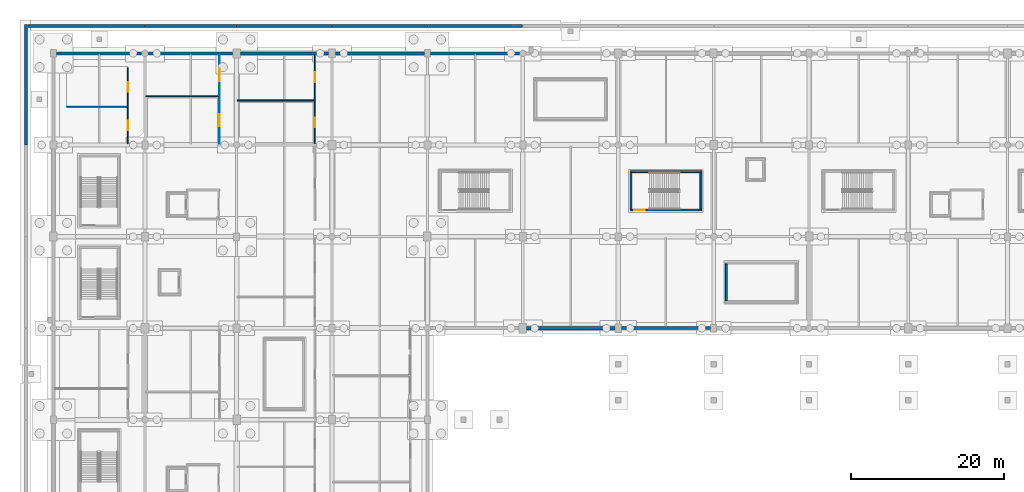
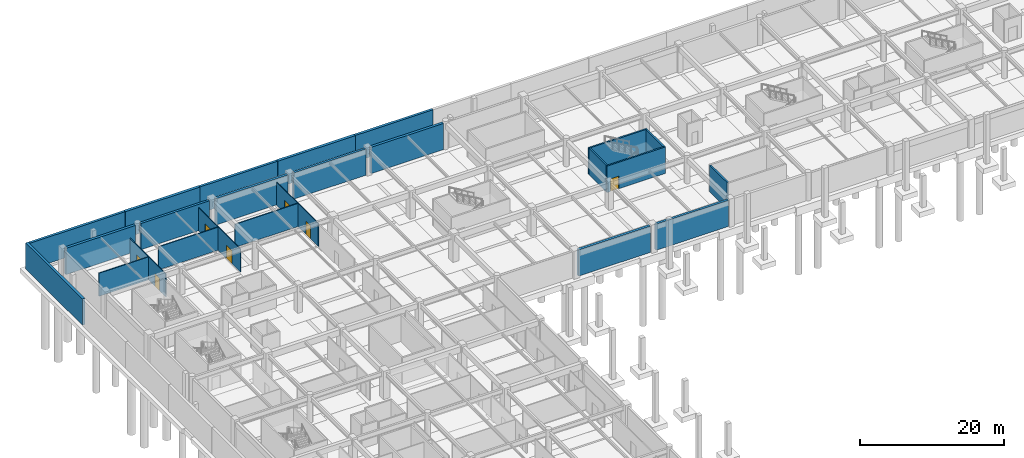
# One storey, part 36 of 56: 24 walls, 7 doors, 7 openings.
"""IFC4 building model written with IfcOpenShell, lengths in metres."""

from ifc_helpers import new_model, si_unit, direction, frame, frame_2d, origin, place, context, subcontext, project, spatial, rectangle, extrude, material, layer, layer_set, type_object, element, fill, save


model = new_model("IFC4")

# Units and contexts
model_context = context("Model", 3, precision=1e-05, world=origin(), true_north=direction((0.0, 1.0)))
body_context = subcontext(model_context, "Body", "Model", "MODEL_VIEW")
ifc_project = project(units=[si_unit("LENGTHUNIT", "METRE"), si_unit("AREAUNIT", "SQUARE_METRE"), si_unit("VOLUMEUNIT", "CUBIC_METRE"), si_unit("PLANEANGLEUNIT", "RADIAN"), si_unit("MASSUNIT", "GRAM", prefix="KILO")], contexts=[model_context])

# Site, building, storey
site_placement = place(None, origin())
site = spatial("IfcSite", under=ifc_project, at=site_placement, CompositionType="ELEMENT")
building_placement = place(site_placement, origin())
building = spatial("IfcBuilding", under=site, at=building_placement, Name="Kazenohara Klinker Stadium", CompositionType="ELEMENT")
storey_placement = place(building_placement, frame((0.0, 0.0, -4.800048828125)))
storey = spatial("IfcBuildingStorey", under=building, at=storey_placement, Name="B01", CompositionType="ELEMENT", Elevation=-4.800048828125)

# Walls
ifc_material_1 = material(Name="Concrete C40/50", Category="concrete")
ifc_layer_1 = layer(ifc_material_1, 0.39990234375)
ifc_layer_set_1 = layer_set([ifc_layer_1], Name="Concrete C40/50")
wall_type_1 = type_object("IfcWallType", Name="WAL-B01-PLINTH400", PredefinedType="USERDEFINED", material=ifc_layer_set_1)
wall_1_placement = place(storey_placement, frame((-3.580078125, 156.02001953125, 0.0), z_axis=(0.0, 0.0, 1.0), x_axis=(0.0, 1.0, 0.0)))
element("IfcWall", 1, at=wall_1_placement, inside=storey, type_object=wall_type_1, Name="Street plinth retaining wall RW04 West-14", ObjectType="RETAINING WALL", PredefinedType="USERDEFINED", context=body_context, shape_type="SweptSolid", body=[
    extrude(rectangle(XDim=15.760009765625, YDim=0.39990234375, at=frame_2d((7.8798828125, 0.0))), origin(), (0.0, 0.0, 1.0), 4.4599609375),
])
wall_2_placement = place(storey_placement, frame((-3.320068359375, 171.580078125, 0.0), z_axis=(0.0, 0.0, 1.0), x_axis=(1.0, 0.0, 0.0)))
element("IfcWall", 2, at=wall_2_placement, inside=storey, type_object=wall_type_1, Name="Street plinth retaining wall RW04 North-01", ObjectType="RETAINING WALL", PredefinedType="USERDEFINED", context=body_context, shape_type="SweptSolid", body=[
    extrude(rectangle(XDim=15.300048828125, YDim=0.39990234375, at=frame_2d((7.64990234375, 0.0))), origin(), (0.0, 0.0, 1.0), 4.4599609375),
])
for number, where, z_axis, x_axis, name in (
    (3, (24.02001953125, 171.580078125, 0.0), (0.0, 0.0, 1.0), (1.0, 0.0, 0.0), "Street plinth retaining wall RW04 North-03"),
    (4, (49.02001953125, 171.580078125, 0.0), (0.0, 0.0, 1.0), (1.0, 0.0, 0.0), "Street plinth retaining wall RW04 North-05"),
):
    element("IfcWall", number, at=place(storey_placement, frame(where, z_axis=z_axis, x_axis=x_axis)), inside=storey, type_object=wall_type_1, Name=name, ObjectType="RETAINING WALL", PredefinedType="USERDEFINED", context=body_context, shape_type="SweptSolid", body=[
        extrude(rectangle(XDim=12.4599609375, YDim=0.39990234375, at=frame_2d((6.22998046875, 0.0))), origin(), (0.0, 0.0, 1.0), 4.4599609375),
    ])
ifc_layer_2 = layer(ifc_material_1, 0.43994140625)
ifc_layer_set_2 = layer_set([ifc_layer_2], Name="Concrete C40/50")
wall_type_2 = type_object("IfcWallType", Name="WAL-B01-PLINTH440", PredefinedType="USERDEFINED", material=ifc_layer_set_2)
wall_3_placement = place(storey_placement, frame((12.02001953125, 171.580078125, 0.0), z_axis=(0.0, 0.0, 1.0), x_axis=(1.0, 0.0, 0.0)))
element("IfcWall", 5, at=wall_3_placement, inside=storey, type_object=wall_type_2, Name="Street plinth retaining wall RW03 North-02", ObjectType="RETAINING WALL", PredefinedType="USERDEFINED", context=body_context, shape_type="SweptSolid", body=[
    extrude(rectangle(XDim=11.9599609375, YDim=0.43994140625, at=frame_2d((5.97998046875, 0.0))), origin(), (0.0, 0.0, 1.0), 4.4599609375),
])
wall_4_placement = place(storey_placement, frame((36.52001953125, 171.580078125, 0.0), z_axis=(0.0, 0.0, 1.0), x_axis=(1.0, 0.0, 0.0)))
element("IfcWall", 6, at=wall_4_placement, inside=storey, type_object=wall_type_2, Name="Street plinth retaining wall RW03 North-04", ObjectType="RETAINING WALL", PredefinedType="USERDEFINED", context=body_context, shape_type="SweptSolid", body=[
    extrude(rectangle(XDim=12.4599609375, YDim=0.43994140625, at=frame_2d((6.22998046875, 0.0))), origin(), (0.0, 0.0, 1.0), 4.4599609375),
])
ifc_layer_3 = layer(ifc_material_1, 0.3798828125)
ifc_layer_set_3 = layer_set([ifc_layer_3], Name="Concrete C40/50")
wall_type_3 = type_object("IfcWallType", Name="WAL-B01-RET380", PredefinedType="STANDARD", material=ifc_layer_set_3)
wall_5_placement = place(storey_placement, frame((12.428955078125, 168.0, 0.0), z_axis=(0.0, 0.0, 1.0), x_axis=(1.0, 0.0, 0.0)))
element("IfcWall", 7, at=wall_5_placement, inside=storey, type_object=wall_type_3, Name="Basement perimeter retaining wall RW02 X-01-14", PredefinedType="STANDARD", context=body_context, shape_type="SweptSolid", body=[
    extrude(rectangle(XDim=11.067138671875, YDim=0.3798828125, at=frame_2d((5.53369140625, 0.0))), origin(), (0.0, 0.0, 1.0), 4.4599609375),
])
for number, where, z_axis, x_axis, name in (
    (8, (36.9541015625, 168.0, 0.0), (0.0, 0.0, 1.0), (1.0, 0.0, 0.0), "Basement perimeter retaining wall RW02 X-03-14"),
    (9, (74.4541015625, 132.0, 0.0), (0.0, 0.0, 1.0), (1.0, 0.0, 0.0), "Basement perimeter retaining wall RW02 X-06-11"),
):
    element("IfcWall", number, at=place(storey_placement, frame(where, z_axis=z_axis, x_axis=x_axis)), inside=storey, type_object=wall_type_3, Name=name, PredefinedType="STANDARD", context=body_context, shape_type="SweptSolid", body=[
        extrude(rectangle(XDim=11.641845703125, YDim=0.3798828125, at=frame_2d((5.82080078125, 0.0))), origin(), (0.0, 0.0, 1.0), 4.4599609375),
    ])
ifc_layer_4 = layer(ifc_material_1, 0.419921875)
ifc_layer_set_4 = layer_set([ifc_layer_4], Name="Concrete C40/50")
wall_type_4 = type_object("IfcWallType", Name="WAL-B01-RET420", PredefinedType="STANDARD", material=ifc_layer_set_4)
wall_6_placement = place(storey_placement, frame((0.404052734375, 168.0, 0.0), z_axis=(0.0, 0.0, 1.0), x_axis=(1.0, 0.0, 0.0)))
element("IfcWall", 10, at=wall_6_placement, inside=storey, type_object=wall_type_4, Name="Basement perimeter retaining wall RW01 X-00-14", PredefinedType="STANDARD", context=body_context, shape_type="SweptSolid", body=[
    extrude(rectangle(XDim=11.1669921875, YDim=0.419921875, at=frame_2d((5.58349609375, 0.0))), origin(), (0.0, 0.0, 1.0), 4.4599609375),
])
wall_7_placement = place(storey_placement, frame((24.50390625, 168.0, 0.0), z_axis=(0.0, 0.0, 1.0), x_axis=(1.0, 0.0, 0.0)))
element("IfcWall", 11, at=wall_7_placement, inside=storey, type_object=wall_type_4, Name="Basement perimeter retaining wall RW01 X-02-14", PredefinedType="STANDARD", context=body_context, shape_type="SweptSolid", body=[
    extrude(rectangle(XDim=11.5419921875, YDim=0.419921875, at=frame_2d((5.77099609375, 0.0))), origin(), (0.0, 0.0, 1.0), 4.4599609375),
])
wall_8_placement = place(storey_placement, frame((49.404052734375, 168.0, 0.0), z_axis=(0.0, 0.0, 1.0), x_axis=(1.0, 0.0, 0.0)))
element("IfcWall", 12, at=wall_8_placement, inside=storey, type_object=wall_type_4, Name="Basement perimeter retaining wall RW01 X-04-14", PredefinedType="STANDARD", context=body_context, shape_type="SweptSolid", body=[
    extrude(rectangle(XDim=11.6669921875, YDim=0.419921875, at=frame_2d((5.83349609375, 0.0))), origin(), (0.0, 0.0, 1.0), 4.4599609375),
])
wall_9_placement = place(storey_placement, frame((62.00390625, 132.0, 0.0), z_axis=(0.0, 0.0, 1.0), x_axis=(1.0, 0.0, 0.0)))
element("IfcWall", 13, at=wall_9_placement, inside=storey, type_object=wall_type_4, Name="Basement perimeter retaining wall RW01 X-05-11", PredefinedType="STANDARD", context=body_context, shape_type="SweptSolid", body=[
    extrude(rectangle(XDim=11.5419921875, YDim=0.419921875, at=frame_2d((5.77099609375, 0.0))), origin(), (0.0, 0.0, 1.0), 4.4599609375),
])

# Wall, opening, door
ifc_layer_5 = layer(ifc_material_1, 0.25)
ifc_layer_set_5 = layer_set([ifc_layer_5], Name="Concrete C40/50")
wall_type_5 = type_object("IfcWallType", Name="WAL-CORE-250", PredefinedType="SHEAR", material=ifc_layer_set_5)
wall_10_placement = place(storey_placement, frame((75.550048828125, 147.485107421875, 0.0), z_axis=(0.0, 0.0, 1.0), x_axis=(1.0, 0.0, 0.0)))
wall_10 = element("IfcWall", 14, at=wall_10_placement, inside=storey, type_object=wall_type_5, Name="Stairwell shear wall ST09 B01 South", PredefinedType="SHEAR", context=body_context, shape_type="SweptSolid", body=[
    extrude(rectangle(XDim=9.39990234375, YDim=0.25, at=frame_2d((4.699951171875, 0.0))), origin(), (0.0, 0.0, 1.0), 4.5),
])
opening_1_placement = place(wall_10_placement, frame((0.550048828125, 0.0, 0.0)))
opening_1 = element("IfcOpeningElement", 15, at=opening_1_placement, cuts=wall_10, Name="Opening SD01", PredefinedType="OPENING", context=body_context, shape_type="SweptSolid", body=[
    extrude(rectangle(XDim=1.39990234375, YDim=2.14990234375, at=frame_2d((0.699951171875, 1.074951171875))), frame((0.0, 0.135009765625, 0.0), z_axis=(0.0, -1.0, 0.0), x_axis=(1.0, 0.0, 0.0)), (0.0, 0.0, 1.0), 0.27001953125),
])
ifc_material_2 = material(Name="Flush painted steel fire door leaf", Category="steel")
door_type_1 = type_object("IfcDoorType", Name="DR-STR-1400x2150", OperationType="NOTDEFINED", PredefinedType="DOOR", material=ifc_material_2)
door_1_placement = place(opening_1_placement, origin())
door_1 = element("IfcDoor", 16, at=door_1_placement, inside=storey, type_object=door_type_1, Name="Escape stairwell fire door ST09-B01", OperationType="SINGLE_SWING_LEFT", OverallHeight=2.14990234375, OverallWidth=1.39990234375, PredefinedType="DOOR", context=body_context, shape_type="SweptSolid", body=[
    extrude(rectangle(XDim=1.39990234375, YDim=2.14990234375, at=frame_2d((0.699951171875, 1.074951171875))), frame((0.0, 0.02490234375, 0.0), z_axis=(0.0, -1.0, 0.0), x_axis=(1.0, 0.0, 0.0)), (0.0, 0.0, 1.0), 0.050048828125),
])
fill(opening_1, door_1)

# Walls
wall_11_placement = place(storey_placement, frame((75.550048828125, 152.514892578125, 0.0), z_axis=(0.0, 0.0, 1.0), x_axis=(1.0, 0.0, 0.0)))
element("IfcWall", 17, at=wall_11_placement, inside=storey, type_object=wall_type_5, Name="Stairwell shear wall ST09 B01 North", PredefinedType="SHEAR", context=body_context, shape_type="SweptSolid", body=[
    extrude(rectangle(XDim=9.39990234375, YDim=0.25, at=frame_2d((4.699951171875, 0.0))), origin(), (0.0, 0.0, 1.0), 4.5),
])
for number, where, z_axis, x_axis, name in (
    (18, (75.675048828125, 147.610107421875, 0.0), (0.0, 0.0, 1.0), (0.0, 1.0, 0.0), "Stairwell shear wall ST09 B01 West"),
    (19, (84.824951171875, 147.610107421875, 0.0), (0.0, 0.0, 1.0), (0.0, 1.0, 0.0), "Stairwell shear wall ST09 B01 East"),
):
    element("IfcWall", number, at=place(storey_placement, frame(where, z_axis=z_axis, x_axis=x_axis)), inside=storey, type_object=wall_type_5, Name=name, PredefinedType="SHEAR", context=body_context, shape_type="SweptSolid", body=[
        extrude(rectangle(XDim=4.77978515625, YDim=0.25, at=frame_2d((2.389892578125, 0.0))), origin(), (0.0, 0.0, 1.0), 4.5),
    ])
wall_12_placement = place(storey_placement, frame((88.175048828125, 135.580078125, 0.0), z_axis=(0.0, 0.0, 1.0), x_axis=(0.0, 1.0, 0.0)))
element("IfcWall", 20, at=wall_12_placement, inside=storey, type_object=wall_type_5, Name="Stairwell shear wall ST19 B01 West", PredefinedType="SHEAR", context=body_context, shape_type="SweptSolid", body=[
    extrude(rectangle(XDim=4.83984375, YDim=0.25, at=frame_2d((2.419921875, 0.0))), origin(), (0.0, 0.0, 1.0), 4.5),
])

# Wall, openings, doors
ifc_material_3 = material(Name="Fire-rated gypsum board on acoustic studs", Category="gypsum")
ifc_layer_6 = layer(ifc_material_3, 0.1201171875)
ifc_layer_set_6 = layer_set([ifc_layer_6], Name="Fire-rated gypsum board on acoustic studs")
wall_type_6 = type_object("IfcWallType", Name="WAL-INT-P120", PredefinedType="PARTITIONING", material=ifc_layer_set_6)
wall_13_placement = place(storey_placement, frame((21.760009765625, 156.159912109375, 0.0), z_axis=(0.0, 0.0, 1.0), x_axis=(0.0, 1.0, 0.0)))
wall_13 = element("IfcWall", 21, at=wall_13_placement, inside=storey, type_object=wall_type_6, Name="Interior partition wall PT02 SPC-B01-01-13-1-1", PredefinedType="PARTITIONING", context=body_context, shape_type="SweptSolid", body=[
    extrude(rectangle(XDim=11.648193359375, YDim=0.1201171875, at=frame_2d((5.82421875, 0.0))), origin(), (0.0, 0.0, 1.0), 3.920166015625),
])
opening_2_placement = place(wall_13_placement, frame((2.304443359375, 0.0, 0.0)))
opening_2 = element("IfcOpeningElement", 22, at=opening_2_placement, cuts=wall_13, Name="Opening ID22", PredefinedType="OPENING", context=body_context, shape_type="SweptSolid", body=[
    extrude(rectangle(XDim=1.56005859375, YDim=2.260009765625, at=frame_2d((0.780029296875, 1.1298828125))), frame((0.0, 0.070068359375, 0.0), z_axis=(0.0, -1.0, 0.0), x_axis=(1.0, 0.0, 0.0)), (0.0, 0.0, 1.0), 0.14013671875),
])
opening_3_placement = place(wall_13_placement, frame((8.204345703125, 0.0, 0.0)))
opening_3 = element("IfcOpeningElement", 23, at=opening_3_placement, cuts=wall_13, Name="Opening ID23", PredefinedType="OPENING", context=body_context, shape_type="SweptSolid", body=[
    extrude(rectangle(XDim=1.60009765625, YDim=2.300048828125, at=frame_2d((0.800048828125, 1.14990234375))), frame((0.0, 0.070068359375, 0.0), z_axis=(0.0, -1.0, 0.0), x_axis=(1.0, 0.0, 0.0)), (0.0, 0.0, 1.0), 0.14013671875),
])
ifc_material_4 = material(Name="Painted steel plant fire door", Category="steel")
door_type_2 = type_object("IfcDoorType", Name="DR-INT-22", OperationType="NOTDEFINED", PredefinedType="DOOR", material=ifc_material_4)
door_2_placement = place(opening_2_placement, origin())
door_2 = element("IfcDoor", 24, at=door_2_placement, inside=storey, type_object=door_type_2, Name="Interior door ID22 Doping Control Medical Laboratory B01-0113A", OperationType="SINGLE_SWING_LEFT", OverallHeight=2.260009765625, OverallWidth=1.56005859375, PredefinedType="DOOR", context=body_context, shape_type="SweptSolid", body=[
    extrude(rectangle(XDim=1.56005859375, YDim=2.260009765625, at=frame_2d((0.780029296875, 1.1298828125))), frame((0.0, 0.02490234375, 0.0), z_axis=(0.0, -1.0, 0.0), x_axis=(1.0, 0.0, 0.0)), (0.0, 0.0, 1.0), 0.050048828125),
])
fill(opening_2, door_2)
door_type_3 = type_object("IfcDoorType", Name="DR-INT-23", OperationType="NOTDEFINED", PredefinedType="DOOR", material=ifc_material_4)
door_3_placement = place(opening_3_placement, origin())
door_3 = element("IfcDoor", 25, at=door_3_placement, inside=storey, type_object=door_type_3, Name="Interior door ID23 First-Team Athlete Changing Room B01-0113B", OperationType="SINGLE_SWING_RIGHT", OverallHeight=2.300048828125, OverallWidth=1.60009765625, PredefinedType="DOOR", context=body_context, shape_type="SweptSolid", body=[
    extrude(rectangle(XDim=1.60009765625, YDim=2.300048828125, at=frame_2d((0.800048828125, 1.14990234375))), frame((0.0, 0.02490234375, 0.0), z_axis=(0.0, -1.0, 0.0), x_axis=(1.0, 0.0, 0.0)), (0.0, 0.0, 1.0), 0.050048828125),
])
fill(opening_3, door_3)

wall_14_placement = place(storey_placement, frame((34.260009765625, 156.159912109375, 0.0), z_axis=(0.0, 0.0, 1.0), x_axis=(0.0, 1.0, 0.0)))
wall_14 = element("IfcWall", 26, at=wall_14_placement, inside=storey, type_object=wall_type_6, Name="Interior partition wall PT02 SPC-B01-02-13-1-1", PredefinedType="PARTITIONING", context=body_context, shape_type="SweptSolid", body=[
    extrude(rectangle(XDim=11.628173828125, YDim=0.1201171875, at=frame_2d((5.81396484375, 0.0))), origin(), (0.0, 0.0, 1.0), 3.920166015625),
])
opening_4_placement = place(wall_14_placement, frame((2.17236328125, 0.0, 0.0)))
opening_4 = element("IfcOpeningElement", 27, at=opening_4_placement, cuts=wall_14, Name="Opening ID13", PredefinedType="OPENING", context=body_context, shape_type="SweptSolid", body=[
    extrude(rectangle(XDim=1.239990234375, YDim=2.219970703125, at=frame_2d((0.6201171875, 1.10986328125))), frame((0.0, 0.070068359375, 0.0), z_axis=(0.0, -1.0, 0.0), x_axis=(1.0, 0.0, 0.0)), (0.0, 0.0, 1.0), 0.14013671875),
])
opening_5_placement = place(wall_14_placement, frame((8.077392578125, 0.0, 0.0)))
opening_5 = element("IfcOpeningElement", 28, at=opening_5_placement, cuts=wall_14, Name="Opening ID14", PredefinedType="OPENING", context=body_context, shape_type="SweptSolid", body=[
    extrude(rectangle(XDim=1.27001953125, YDim=2.199951171875, at=frame_2d((0.635009765625, 1.10009765625))), frame((0.0, 0.070068359375, 0.0), z_axis=(0.0, -1.0, 0.0), x_axis=(1.0, 0.0, 0.0)), (0.0, 0.0, 1.0), 0.14013671875),
])
ifc_material_5 = material(Name="Solid-core Hokkaido oak fire door", Category="wood")
door_type_4 = type_object("IfcDoorType", Name="DR-INT-13", OperationType="NOTDEFINED", PredefinedType="DOOR", material=ifc_material_5)
door_4_placement = place(opening_4_placement, origin())
door_4 = element("IfcDoor", 29, at=door_4_placement, inside=storey, type_object=door_type_4, Name="Interior door ID13 First-Team Athlete Changing Room B01-0213A", OperationType="SINGLE_SWING_RIGHT", OverallHeight=2.219970703125, OverallWidth=1.239990234375, PredefinedType="DOOR", context=body_context, shape_type="SweptSolid", body=[
    extrude(rectangle(XDim=1.239990234375, YDim=2.219970703125, at=frame_2d((0.6201171875, 1.10986328125))), frame((0.0, 0.02490234375, 0.0), z_axis=(0.0, -1.0, 0.0), x_axis=(1.0, 0.0, 0.0)), (0.0, 0.0, 1.0), 0.050048828125),
])
fill(opening_4, door_4)
door_type_5 = type_object("IfcDoorType", Name="DR-INT-14", OperationType="NOTDEFINED", PredefinedType="DOOR", material=ifc_material_5)
door_5_placement = place(opening_5_placement, origin())
door_5 = element("IfcDoor", 30, at=door_5_placement, inside=storey, type_object=door_type_5, Name="Interior door ID14 Indoor Turf Sprint Training Arena B01-0213B", OperationType="SINGLE_SWING_LEFT", OverallHeight=2.199951171875, OverallWidth=1.27001953125, PredefinedType="DOOR", context=body_context, shape_type="SweptSolid", body=[
    extrude(rectangle(XDim=1.27001953125, YDim=2.199951171875, at=frame_2d((0.635009765625, 1.10009765625))), frame((0.0, 0.02490234375, 0.0), z_axis=(0.0, -1.0, 0.0), x_axis=(1.0, 0.0, 0.0)), (0.0, 0.0, 1.0), 0.050048828125),
])
fill(opening_5, door_5)

ifc_layer_7 = layer(ifc_material_3, 0.139892578125)
ifc_layer_set_7 = layer_set([ifc_layer_7], Name="Fire-rated gypsum board on acoustic studs")
wall_type_7 = type_object("IfcWallType", Name="WAL-INT-P140", PredefinedType="PARTITIONING", material=ifc_layer_set_7)
wall_15_placement = place(storey_placement, frame((9.760009765625, 156.159912109375, 0.0), z_axis=(0.0, 0.0, 1.0), x_axis=(0.0, 1.0, 0.0)))
wall_15 = element("IfcWall", 31, at=wall_15_placement, inside=storey, type_object=wall_type_7, Name="Interior partition wall PT03 SPC-B01-00-13-1-1", PredefinedType="PARTITIONING", context=body_context, shape_type="SweptSolid", body=[
    extrude(rectangle(XDim=9.989990234375, YDim=0.139892578125, at=frame_2d((4.9951171875, 0.0))), origin(), (0.0, 0.0, 1.0), 3.920166015625),
])
opening_6_placement = place(wall_15_placement, frame((1.777587890625, 0.0, 0.0)))
opening_6 = element("IfcOpeningElement", 32, at=opening_6_placement, cuts=wall_15, Name="Opening ID12", PredefinedType="OPENING", context=body_context, shape_type="SweptSolid", body=[
    extrude(rectangle(XDim=1.2099609375, YDim=2.179931640625, at=frame_2d((0.60498046875, 1.08984375))), frame((0.0, 0.080078125, 0.0), z_axis=(0.0, -1.0, 0.0), x_axis=(1.0, 0.0, 0.0)), (0.0, 0.0, 1.0), 0.159912109375),
])
opening_7_placement = place(wall_15_placement, frame((6.837646484375, 0.0, 0.0)))
opening_7 = element("IfcOpeningElement", 33, at=opening_7_placement, cuts=wall_15, Name="Opening ID13", PredefinedType="OPENING", context=body_context, shape_type="SweptSolid", body=[
    extrude(rectangle(XDim=1.239990234375, YDim=2.219970703125, at=frame_2d((0.6201171875, 1.10986328125))), frame((0.0, 0.080078125, 0.0), z_axis=(0.0, -1.0, 0.0), x_axis=(1.0, 0.0, 0.0)), (0.0, 0.0, 1.0), 0.159912109375),
])
door_type_6 = type_object("IfcDoorType", Name="DR-INT-12", OperationType="NOTDEFINED", PredefinedType="DOOR", material=ifc_material_5)
door_6_placement = place(opening_6_placement, origin())
door_6 = element("IfcDoor", 34, at=door_6_placement, inside=storey, type_object=door_type_6, Name="Interior door ID12 Visiting-Club Athlete Changing Room B01-0013A", OperationType="SINGLE_SWING_LEFT", OverallHeight=2.179931640625, OverallWidth=1.2099609375, PredefinedType="DOOR", context=body_context, shape_type="SweptSolid", body=[
    extrude(rectangle(XDim=1.2099609375, YDim=2.179931640625, at=frame_2d((0.60498046875, 1.08984375))), frame((0.0, 0.02490234375, 0.0), z_axis=(0.0, -1.0, 0.0), x_axis=(1.0, 0.0, 0.0)), (0.0, 0.0, 1.0), 0.050048828125),
])
fill(opening_6, door_6)
door_7_placement = place(opening_7_placement, origin())
door_7 = element("IfcDoor", 35, at=door_7_placement, inside=storey, type_object=door_type_4, Name="Interior door ID13 Sports Hydrotherapy Recovery Clinic B01-0013B", OperationType="SINGLE_SWING_RIGHT", OverallHeight=2.219970703125, OverallWidth=1.239990234375, PredefinedType="DOOR", context=body_context, shape_type="SweptSolid", body=[
    extrude(rectangle(XDim=1.239990234375, YDim=2.219970703125, at=frame_2d((0.6201171875, 1.10986328125))), frame((0.0, 0.02490234375, 0.0), z_axis=(0.0, -1.0, 0.0), x_axis=(1.0, 0.0, 0.0)), (0.0, 0.0, 1.0), 0.050048828125),
])
fill(opening_7, door_7)

# Walls
wall_16_placement = place(storey_placement, frame((12.080078125, 162.40869140625, 0.0), z_axis=(0.0, 0.0, 1.0), x_axis=(1.0, 0.0, 0.0)))
element("IfcWall", 36, at=wall_16_placement, inside=storey, type_object=wall_type_7, Name="Interior partition wall PT03 SPC-B01-01-13-1-2", PredefinedType="PARTITIONING", context=body_context, shape_type="SweptSolid", body=[
    extrude(rectangle(XDim=9.614990234375, YDim=0.139892578125, at=frame_2d((4.8076171875, 0.0))), origin(), (0.0, 0.0, 1.0), 3.920166015625),
])
wall_17_placement = place(storey_placement, frame((24.080078125, 161.82470703125, 0.0), z_axis=(0.0, 0.0, 1.0), x_axis=(1.0, 0.0, 0.0)))
element("IfcWall", 37, at=wall_17_placement, inside=storey, type_object=wall_type_7, Name="Interior partition wall PT03 SPC-B01-02-13-1-2", PredefinedType="PARTITIONING", context=body_context, shape_type="SweptSolid", body=[
    extrude(rectangle(XDim=10.114990234375, YDim=0.139892578125, at=frame_2d((5.0576171875, 0.0))), origin(), (0.0, 0.0, 1.0), 3.920166015625),
])
ifc_layer_8 = layer(ifc_material_3, 0.14990234375)
ifc_layer_set_8 = layer_set([ifc_layer_8], Name="Fire-rated gypsum board on acoustic studs")
wall_type_8 = type_object("IfcWallType", Name="WAL-INT-P150", PredefinedType="PARTITIONING", material=ifc_layer_set_8)
wall_18_placement = place(storey_placement, frame((1.75, 161.005126953125, 0.0), z_axis=(0.0, 0.0, 1.0), x_axis=(1.0, 0.0, 0.0)))
element("IfcWall", 38, at=wall_18_placement, inside=storey, type_object=wall_type_8, Name="Interior partition wall PT04 SPC-B01-00-13-1-2", PredefinedType="PARTITIONING", context=body_context, shape_type="SweptSolid", body=[
    extrude(rectangle(XDim=7.93505859375, YDim=0.14990234375, at=frame_2d((3.967529296875, 0.0))), origin(), (0.0, 0.0, 1.0), 3.920166015625),
])

save(model, "model.ifc")
